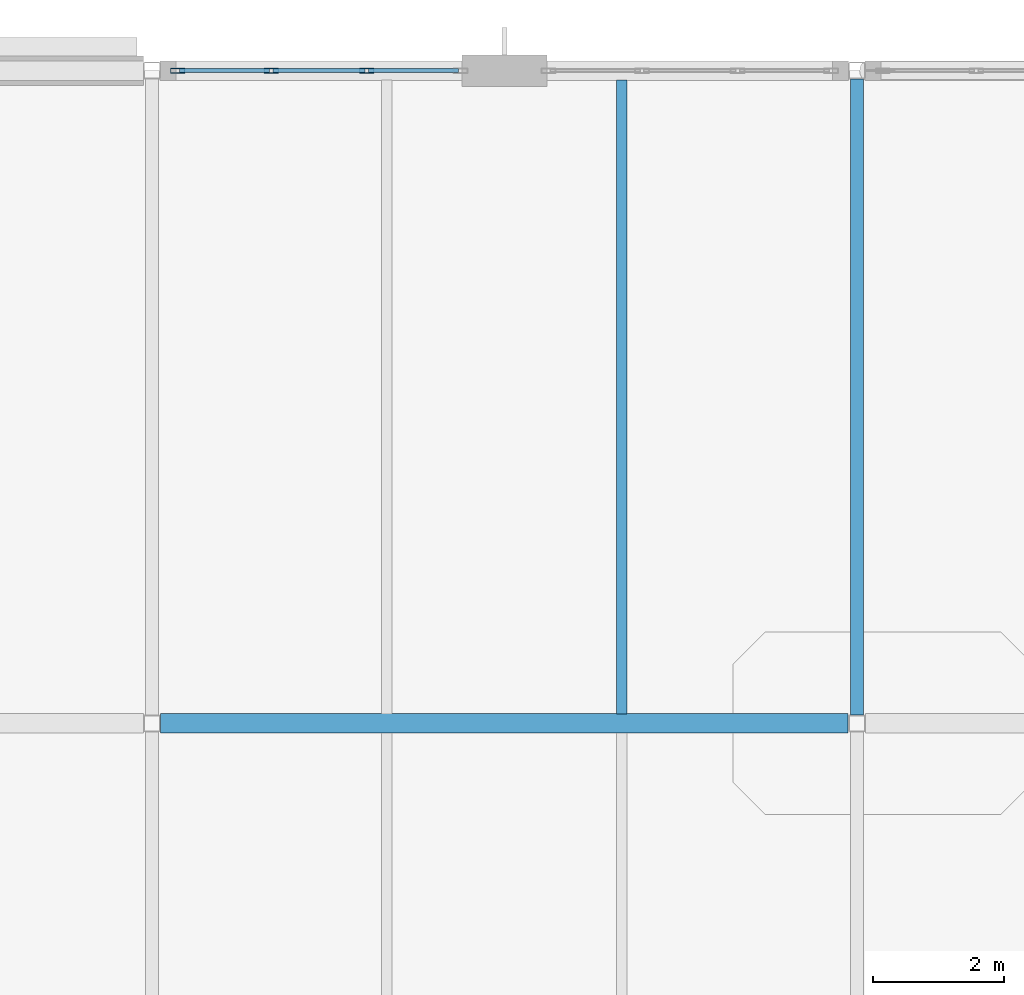
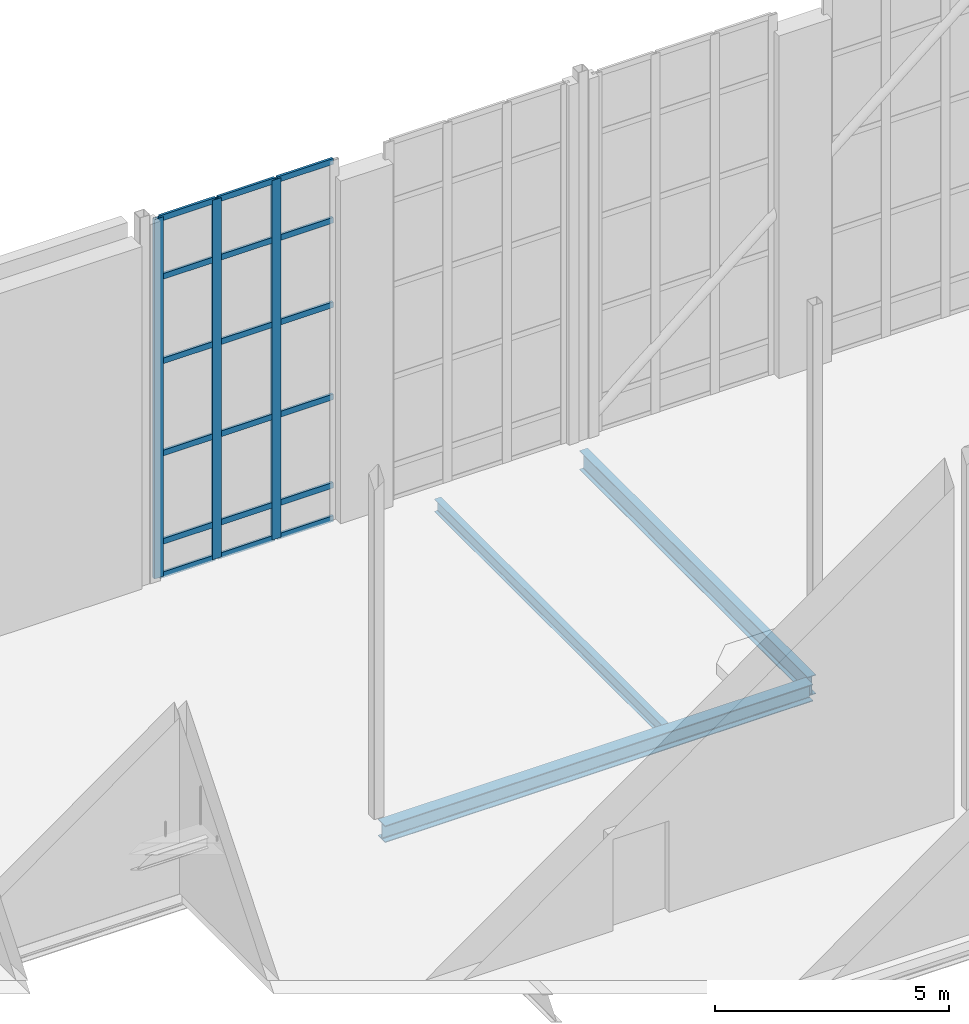
# One storey, part 45 of 100: 21 members, 3 beams, 1 element without a shape of its own.
"""IFC4 building model written with IfcOpenShell, lengths in metres."""

from ifc_helpers import new_model, si_unit, direction, frame, origin, origin_2d, place, context, subcontext, project, spatial, hollow_rectangle, i_section, extrude, material, layer, layer_set, material_profile, profile_set, type_object, element, aggregate, save


model = new_model("IFC4")

# Units and contexts
model_context = context("Model", 3, precision=1e-05, world=origin(), true_north=direction((0.0, 1.0)))
body_context = subcontext(model_context, "Body", "Model", "MODEL_VIEW")
ifc_project = project(units=[si_unit("LENGTHUNIT", "METRE"), si_unit("AREAUNIT", "SQUARE_METRE"), si_unit("VOLUMEUNIT", "CUBIC_METRE"), si_unit("PLANEANGLEUNIT", "RADIAN"), si_unit("MASSUNIT", "GRAM", prefix="KILO")], contexts=[model_context])

# Site, building, storey
site_placement = place(None, origin())
site = spatial("IfcSite", under=ifc_project, at=site_placement, CompositionType="ELEMENT")
building_placement = place(site_placement, origin())
building = spatial("IfcBuilding", under=site, at=building_placement, Name="Tasgan Crest Museum", CompositionType="ELEMENT")
storey_placement = place(building_placement, frame((0.0, 0.0, 14.39990234375)))
storey = spatial("IfcBuildingStorey", under=building, at=storey_placement, Name="L03", CompositionType="ELEMENT", Elevation=14.39990234375)

# Beams
ifc_material_1 = material(Name="Steel S355J2", Category="steel")
ifc_material_profile_1 = material_profile(ifc_material_1, i_section(OverallWidth=0.300048828125, OverallDepth=0.43994140625, WebThickness=0.011474609375, FlangeThickness=0.02099609375, FilletRadius=0.027099609375, at=origin_2d()), Name="HEA 450")
ifc_profile_set_1 = profile_set([ifc_material_profile_1], Name="Steel S355J2")
beam_type_1 = type_object("IfcBeamType", Name="BM-G-HEA450", PredefinedType="BEAM", material=ifc_profile_set_1)
beam_1_placement = place(storey_placement, frame((10.9326171875, 102.0, -0.4599609375), z_axis=(1.0, 0.0, 0.0), x_axis=(0.0, 1.0, 0.0)))
element("IfcBeam", 1, at=beam_1_placement, inside=storey, type_object=beam_type_1, Name="Girder L03 L 10.8-21.6", PredefinedType="BEAM", context=body_context, shape_type="SweptSolid", body=[
    extrude(i_section(OverallWidth=0.300048828125, OverallDepth=0.43994140625, WebThickness=0.011474609375, FlangeThickness=0.02099609375, FilletRadius=0.027099609375, at=origin_2d()), origin(), (0.0, 0.0, 1.0), 10.534912109375),
])
ifc_material_2 = material(Name="Steel S355J2", Category="steel")
ifc_material_profile_2 = material_profile(ifc_material_2, i_section(OverallWidth=0.199951171875, OverallDepth=0.5, WebThickness=0.01025390625, FlangeThickness=0.01611328125, FilletRadius=0.02099609375, at=origin_2d()), Name="IPE 500")
ifc_profile_set_2 = profile_set([ifc_material_profile_2], Name="Steel S355J2")
beam_type_2 = type_object("IfcBeamType", Name="BM-G-IPE500", PredefinedType="BEAM", material=ifc_profile_set_2)
beam_2_placement = place(storey_placement, frame((21.60009765625, 102.131591796875, -0.489990234375), z_axis=(0.0, 1.0, 0.0), x_axis=(-1.0, 0.0, 0.0)))
element("IfcBeam", 2, at=beam_2_placement, inside=storey, type_object=beam_type_2, Name="Beam L03 3 102.0-112.0", PredefinedType="BEAM", context=body_context, shape_type="SweptSolid", body=[
    extrude(i_section(OverallWidth=0.199951171875, OverallDepth=0.5, WebThickness=0.01025390625, FlangeThickness=0.01611328125, FilletRadius=0.02099609375, at=origin_2d()), origin(), (0.0, 0.0, 1.0), 9.73681640625),
])
ifc_material_3 = material(Name="Steel S355J2", Category="steel")
ifc_material_profile_3 = material_profile(ifc_material_3, i_section(OverallWidth=0.159912109375, OverallDepth=0.330078125, WebThickness=0.007568359375, FlangeThickness=0.011474609375, FilletRadius=0.01806640625, at=origin_2d()), Name="IPE 330")
ifc_profile_set_3 = profile_set([ifc_material_profile_3], Name="Steel S355J2")
beam_type_3 = type_object("IfcBeamType", Name="BM-J-IPE330", PredefinedType="JOIST", material=ifc_profile_set_3)
beam_3_placement = place(storey_placement, frame((18.0, 102.14501953125, -0.40478515625), z_axis=(0.0, 1.0, 0.0), x_axis=(-1.0, 0.0, 0.0)))
element("IfcBeam", 3, at=beam_3_placement, inside=storey, type_object=beam_type_3, Name="Secondary joist L03 X=18.0 Y=102.0-112.0", PredefinedType="JOIST", context=body_context, shape_type="SweptSolid", body=[
    extrude(i_section(OverallWidth=0.159912109375, OverallDepth=0.330078125, WebThickness=0.007568359375, FlangeThickness=0.011474609375, FilletRadius=0.01806640625, at=origin_2d()), origin(), (0.0, 0.0, 1.0), 9.7099609375),
])

# Curtain wall, members
ifc_material_4 = material(Name="Triple-Glazed Aluminium Curtain Wall", Category="aluminium")
ifc_layer = layer(ifc_material_4, 0.179931640625, Name="CW-CORE-STRIP-96")
ifc_layer_set = layer_set([ifc_layer], Name="Triple-Glazed Aluminium Curtain Wall")
curtain_wall_type = type_object("IfcCurtainWallType", Name="CW-CORE-STRIP-96", PredefinedType="NOTDEFINED", material=ifc_layer_set)
curtain_wall_placement = place(storey_placement, origin())
curtain_wall = element("IfcCurtainWall", 4, at=curtain_wall_placement, inside=storey, type_object=curtain_wall_type, Name="Curtain wall L03 136", PredefinedType="NOTDEFINED")
ifc_material_5 = material(Name="Anodised Aluminium", Category="aluminium")
ifc_material_profile_4 = material_profile(ifc_material_5, hollow_rectangle(XDim=0.074951171875, YDim=0.219970703125, WallThickness=0.006103515625, at=origin_2d()), Name="ALU MULLION 220x75x6")
ifc_profile_set_4 = profile_set([ifc_material_profile_4], Name="Anodised Aluminium")
member_type_1 = type_object("IfcMemberType", Name="CW-MULLION-220", PredefinedType="MULLION", material=ifc_profile_set_4)
member_1_placement = place(storey_placement, frame((14.091552734375, 112.0, 0.0), z_axis=(0.0, 0.0, 1.0), x_axis=(0.0, -1.0, 0.0)))
member_1 = element("IfcMember", 5, at=member_1_placement, type_object=member_type_1, Name="CW20 mullion 2", PredefinedType="MULLION", context=body_context, shape_type="SweptSolid", body=[
    extrude(hollow_rectangle(XDim=0.074951171875, YDim=0.219970703125, WallThickness=0.006103515625, at=origin_2d()), origin(), (0.0, 0.0, 1.0), 9.360107421875),
])
member_2_placement = place(storey_placement, frame((12.62841796875, 112.0, 0.0), z_axis=(0.0, 0.0, 1.0), x_axis=(0.0, -1.0, 0.0)))
member_2 = element("IfcMember", 6, at=member_2_placement, type_object=member_type_1, Name="CW20 mullion 3", PredefinedType="MULLION", context=body_context, shape_type="SweptSolid", body=[
    extrude(hollow_rectangle(XDim=0.074951171875, YDim=0.219970703125, WallThickness=0.006103515625, at=origin_2d()), origin(), (0.0, 0.0, 1.0), 9.360107421875),
])
member_3_placement = place(storey_placement, frame((11.195068359375, 112.0, 0.0), z_axis=(0.0, 0.0, 1.0), x_axis=(0.0, -1.0, 0.0)))
member_3 = element("IfcMember", 7, at=member_3_placement, type_object=member_type_1, Name="CW20 mullion 4", PredefinedType="MULLION", context=body_context, shape_type="SweptSolid", body=[
    extrude(hollow_rectangle(XDim=0.074951171875, YDim=0.219970703125, WallThickness=0.006103515625, at=origin_2d()), origin(), (0.0, 0.0, 1.0), 9.360107421875),
])
ifc_material_6 = material(Name="Anodised Aluminium", Category="aluminium")
ifc_material_profile_5 = material_profile(ifc_material_6, hollow_rectangle(XDim=0.06005859375, YDim=0.14990234375, WallThickness=0.0048828125, at=origin_2d()), Name="ALU TRANSOM 150x60x5")
ifc_profile_set_5 = profile_set([ifc_material_profile_5], Name="Anodised Aluminium")
member_type_2 = type_object("IfcMemberType", Name="CW-TRANSOM-150", PredefinedType="USERDEFINED", material=ifc_profile_set_5)
member_4_placement = place(storey_placement, frame((15.4951171875, 112.0, 0.030029296875), z_axis=(-1.0, 0.0, 0.0), x_axis=(0.0, -1.0, 0.0)))
member_4 = element("IfcMember", 8, at=member_4_placement, type_object=member_type_2, Name="CW20 transom 1.1", ObjectType="TRANSOM", PredefinedType="USERDEFINED", context=body_context, shape_type="SweptSolid", body=[
    extrude(hollow_rectangle(XDim=0.06005859375, YDim=0.14990234375, WallThickness=0.0048828125, at=origin_2d()), origin(), (0.0, 0.0, 1.0), 1.37353515625),
])
member_5_placement = place(storey_placement, frame((15.4951171875, 112.0, 0.900146484375), z_axis=(-1.0, 0.0, 0.0), x_axis=(0.0, -1.0, 0.0)))
member_5 = element("IfcMember", 9, at=member_5_placement, type_object=member_type_2, Name="CW20 transom 1.2", ObjectType="TRANSOM", PredefinedType="USERDEFINED", context=body_context, shape_type="SweptSolid", body=[
    extrude(hollow_rectangle(XDim=0.06005859375, YDim=0.14990234375, WallThickness=0.0048828125, at=origin_2d()), origin(), (0.0, 0.0, 1.0), 1.37353515625),
])
member_6_placement = place(storey_placement, frame((15.4951171875, 112.0, 3.2001953125), z_axis=(-1.0, 0.0, 0.0), x_axis=(0.0, -1.0, 0.0)))
member_6 = element("IfcMember", 10, at=member_6_placement, type_object=member_type_2, Name="CW20 transom 1.3", ObjectType="TRANSOM", PredefinedType="USERDEFINED", context=body_context, shape_type="SweptSolid", body=[
    extrude(hollow_rectangle(XDim=0.06005859375, YDim=0.14990234375, WallThickness=0.0048828125, at=origin_2d()), origin(), (0.0, 0.0, 1.0), 1.37353515625),
])
member_7_placement = place(storey_placement, frame((15.4951171875, 112.0, 5.60009765625), z_axis=(-1.0, 0.0, 0.0), x_axis=(0.0, -1.0, 0.0)))
member_7 = element("IfcMember", 11, at=member_7_placement, type_object=member_type_2, Name="CW20 transom 1.4", ObjectType="TRANSOM", PredefinedType="USERDEFINED", context=body_context, shape_type="SweptSolid", body=[
    extrude(hollow_rectangle(XDim=0.06005859375, YDim=0.14990234375, WallThickness=0.0048828125, at=origin_2d()), origin(), (0.0, 0.0, 1.0), 1.37353515625),
])
member_8_placement = place(storey_placement, frame((15.4951171875, 112.0, 7.800048828125), z_axis=(-1.0, 0.0, 0.0), x_axis=(0.0, -1.0, 0.0)))
member_8 = element("IfcMember", 12, at=member_8_placement, type_object=member_type_2, Name="CW20 transom 1.5", ObjectType="TRANSOM", PredefinedType="USERDEFINED", context=body_context, shape_type="SweptSolid", body=[
    extrude(hollow_rectangle(XDim=0.06005859375, YDim=0.14990234375, WallThickness=0.0048828125, at=origin_2d()), origin(), (0.0, 0.0, 1.0), 1.37353515625),
])
member_9_placement = place(storey_placement, frame((15.4951171875, 112.0, 9.330078125), z_axis=(-1.0, 0.0, 0.0), x_axis=(0.0, -1.0, 0.0)))
member_9 = element("IfcMember", 13, at=member_9_placement, type_object=member_type_2, Name="CW20 transom 1.6", ObjectType="TRANSOM", PredefinedType="USERDEFINED", context=body_context, shape_type="SweptSolid", body=[
    extrude(hollow_rectangle(XDim=0.06005859375, YDim=0.14990234375, WallThickness=0.0048828125, at=origin_2d()), origin(), (0.0, 0.0, 1.0), 1.37353515625),
])
member_10_placement = place(storey_placement, frame((14.061767578125, 112.0, 0.030029296875), z_axis=(-1.0, 0.0, 0.0), x_axis=(0.0, -1.0, 0.0)))
member_10 = element("IfcMember", 14, at=member_10_placement, type_object=member_type_2, Name="CW20 transom 2.1", ObjectType="TRANSOM", PredefinedType="USERDEFINED", context=body_context, shape_type="SweptSolid", body=[
    extrude(hollow_rectangle(XDim=0.06005859375, YDim=0.14990234375, WallThickness=0.0048828125, at=origin_2d()), origin(), (0.0, 0.0, 1.0), 1.4033203125),
])
member_11_placement = place(storey_placement, frame((14.061767578125, 112.0, 0.900146484375), z_axis=(-1.0, 0.0, 0.0), x_axis=(0.0, -1.0, 0.0)))
member_11 = element("IfcMember", 15, at=member_11_placement, type_object=member_type_2, Name="CW20 transom 2.2", ObjectType="TRANSOM", PredefinedType="USERDEFINED", context=body_context, shape_type="SweptSolid", body=[
    extrude(hollow_rectangle(XDim=0.06005859375, YDim=0.14990234375, WallThickness=0.0048828125, at=origin_2d()), origin(), (0.0, 0.0, 1.0), 1.4033203125),
])
member_12_placement = place(storey_placement, frame((14.061767578125, 112.0, 3.2001953125), z_axis=(-1.0, 0.0, 0.0), x_axis=(0.0, -1.0, 0.0)))
member_12 = element("IfcMember", 16, at=member_12_placement, type_object=member_type_2, Name="CW20 transom 2.3", ObjectType="TRANSOM", PredefinedType="USERDEFINED", context=body_context, shape_type="SweptSolid", body=[
    extrude(hollow_rectangle(XDim=0.06005859375, YDim=0.14990234375, WallThickness=0.0048828125, at=origin_2d()), origin(), (0.0, 0.0, 1.0), 1.4033203125),
])
member_13_placement = place(storey_placement, frame((14.061767578125, 112.0, 5.60009765625), z_axis=(-1.0, 0.0, 0.0), x_axis=(0.0, -1.0, 0.0)))
member_13 = element("IfcMember", 17, at=member_13_placement, type_object=member_type_2, Name="CW20 transom 2.4", ObjectType="TRANSOM", PredefinedType="USERDEFINED", context=body_context, shape_type="SweptSolid", body=[
    extrude(hollow_rectangle(XDim=0.06005859375, YDim=0.14990234375, WallThickness=0.0048828125, at=origin_2d()), origin(), (0.0, 0.0, 1.0), 1.4033203125),
])
member_14_placement = place(storey_placement, frame((14.061767578125, 112.0, 7.800048828125), z_axis=(-1.0, 0.0, 0.0), x_axis=(0.0, -1.0, 0.0)))
member_14 = element("IfcMember", 18, at=member_14_placement, type_object=member_type_2, Name="CW20 transom 2.5", ObjectType="TRANSOM", PredefinedType="USERDEFINED", context=body_context, shape_type="SweptSolid", body=[
    extrude(hollow_rectangle(XDim=0.06005859375, YDim=0.14990234375, WallThickness=0.0048828125, at=origin_2d()), origin(), (0.0, 0.0, 1.0), 1.4033203125),
])
member_15_placement = place(storey_placement, frame((14.061767578125, 112.0, 9.330078125), z_axis=(-1.0, 0.0, 0.0), x_axis=(0.0, -1.0, 0.0)))
member_15 = element("IfcMember", 19, at=member_15_placement, type_object=member_type_2, Name="CW20 transom 2.6", ObjectType="TRANSOM", PredefinedType="USERDEFINED", context=body_context, shape_type="SweptSolid", body=[
    extrude(hollow_rectangle(XDim=0.06005859375, YDim=0.14990234375, WallThickness=0.0048828125, at=origin_2d()), origin(), (0.0, 0.0, 1.0), 1.4033203125),
])
member_16_placement = place(storey_placement, frame((12.598388671875, 112.0, 0.030029296875), z_axis=(-1.0, 0.0, 0.0), x_axis=(0.0, -1.0, 0.0)))
member_16 = element("IfcMember", 20, at=member_16_placement, type_object=member_type_2, Name="CW20 transom 3.1", ObjectType="TRANSOM", PredefinedType="USERDEFINED", context=body_context, shape_type="SweptSolid", body=[
    extrude(hollow_rectangle(XDim=0.06005859375, YDim=0.14990234375, WallThickness=0.0048828125, at=origin_2d()), origin(), (0.0, 0.0, 1.0), 1.373291015625),
])
member_17_placement = place(storey_placement, frame((12.598388671875, 112.0, 0.900146484375), z_axis=(-1.0, 0.0, 0.0), x_axis=(0.0, -1.0, 0.0)))
member_17 = element("IfcMember", 21, at=member_17_placement, type_object=member_type_2, Name="CW20 transom 3.2", ObjectType="TRANSOM", PredefinedType="USERDEFINED", context=body_context, shape_type="SweptSolid", body=[
    extrude(hollow_rectangle(XDim=0.06005859375, YDim=0.14990234375, WallThickness=0.0048828125, at=origin_2d()), origin(), (0.0, 0.0, 1.0), 1.373291015625),
])
member_18_placement = place(storey_placement, frame((12.598388671875, 112.0, 3.2001953125), z_axis=(-1.0, 0.0, 0.0), x_axis=(0.0, -1.0, 0.0)))
member_18 = element("IfcMember", 22, at=member_18_placement, type_object=member_type_2, Name="CW20 transom 3.3", ObjectType="TRANSOM", PredefinedType="USERDEFINED", context=body_context, shape_type="SweptSolid", body=[
    extrude(hollow_rectangle(XDim=0.06005859375, YDim=0.14990234375, WallThickness=0.0048828125, at=origin_2d()), origin(), (0.0, 0.0, 1.0), 1.373291015625),
])
member_19_placement = place(storey_placement, frame((12.598388671875, 112.0, 5.60009765625), z_axis=(-1.0, 0.0, 0.0), x_axis=(0.0, -1.0, 0.0)))
member_19 = element("IfcMember", 23, at=member_19_placement, type_object=member_type_2, Name="CW20 transom 3.4", ObjectType="TRANSOM", PredefinedType="USERDEFINED", context=body_context, shape_type="SweptSolid", body=[
    extrude(hollow_rectangle(XDim=0.06005859375, YDim=0.14990234375, WallThickness=0.0048828125, at=origin_2d()), origin(), (0.0, 0.0, 1.0), 1.373291015625),
])
member_20_placement = place(storey_placement, frame((12.598388671875, 112.0, 7.800048828125), z_axis=(-1.0, 0.0, 0.0), x_axis=(0.0, -1.0, 0.0)))
member_20 = element("IfcMember", 24, at=member_20_placement, type_object=member_type_2, Name="CW20 transom 3.5", ObjectType="TRANSOM", PredefinedType="USERDEFINED", context=body_context, shape_type="SweptSolid", body=[
    extrude(hollow_rectangle(XDim=0.06005859375, YDim=0.14990234375, WallThickness=0.0048828125, at=origin_2d()), origin(), (0.0, 0.0, 1.0), 1.373291015625),
])
member_21_placement = place(storey_placement, frame((12.598388671875, 112.0, 9.330078125), z_axis=(-1.0, 0.0, 0.0), x_axis=(0.0, -1.0, 0.0)))
member_21 = element("IfcMember", 25, at=member_21_placement, type_object=member_type_2, Name="CW20 transom 3.6", ObjectType="TRANSOM", PredefinedType="USERDEFINED", context=body_context, shape_type="SweptSolid", body=[
    extrude(hollow_rectangle(XDim=0.06005859375, YDim=0.14990234375, WallThickness=0.0048828125, at=origin_2d()), origin(), (0.0, 0.0, 1.0), 1.373291015625),
])
aggregate(curtain_wall, [member_1, member_2, member_3, member_4, member_5, member_6, member_7, member_8, member_9, member_10, member_11, member_12, member_13, member_14, member_15, member_16, member_17, member_18, member_19, member_20, member_21])

save(model, "model.ifc")
